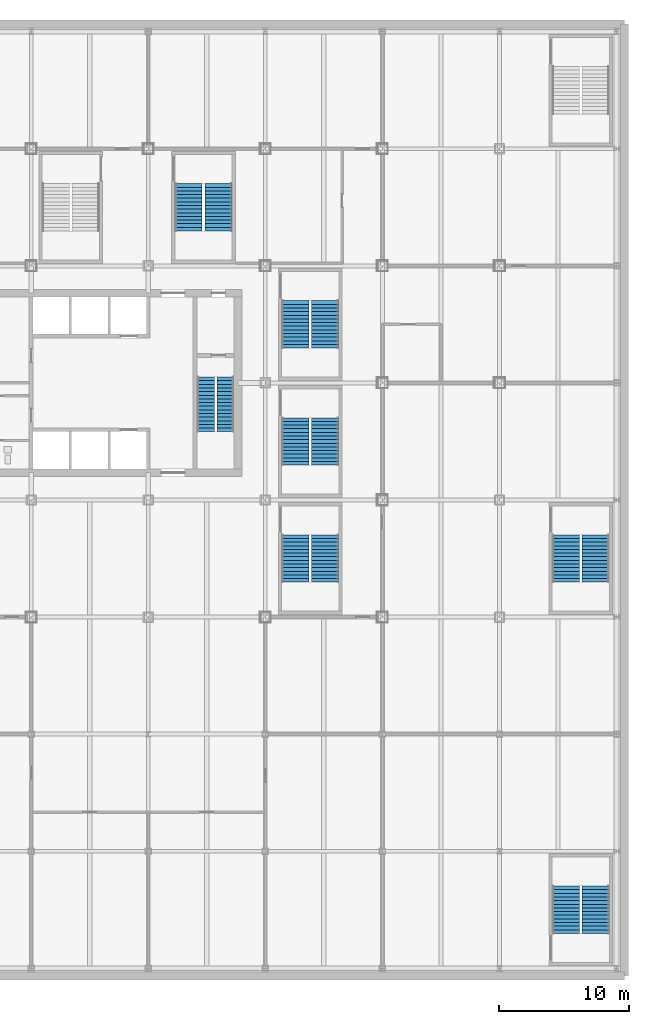
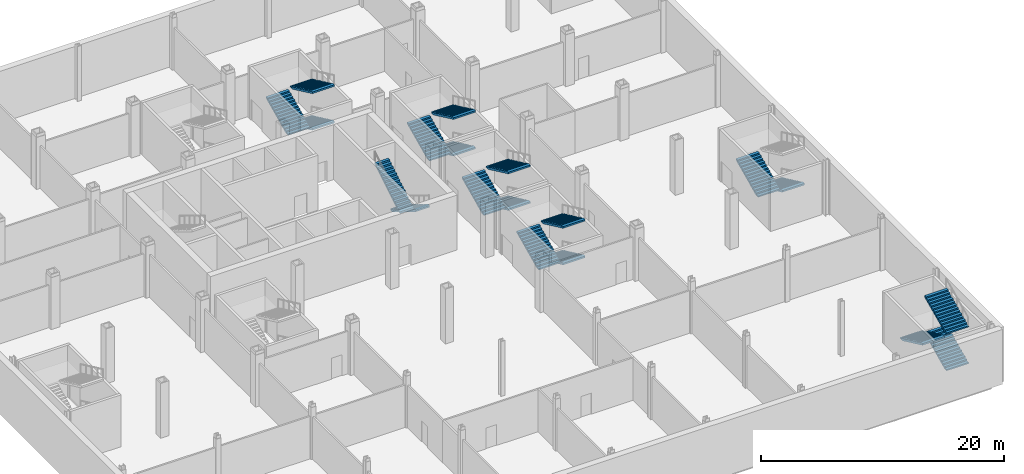
# One storey, part 13 of 27: 19 stair flights, 7 elements without a shape of their own.
"""IFC4 building model written with IfcOpenShell, lengths in metres."""

from ifc_helpers import new_model, si_unit, direction, frame, origin, place, context, subcontext, project, spatial, polyline, outline, extrude, material, type_object, element, aggregate, save


model = new_model("IFC4")

# Units and contexts
model_context = context("Model", 3, precision=1e-05, world=origin(), true_north=direction((0.0, 1.0)))
body_context = subcontext(model_context, "Body", "Model", "MODEL_VIEW")
ifc_project = project(units=[si_unit("LENGTHUNIT", "METRE"), si_unit("AREAUNIT", "SQUARE_METRE"), si_unit("VOLUMEUNIT", "CUBIC_METRE"), si_unit("PLANEANGLEUNIT", "RADIAN"), si_unit("MASSUNIT", "GRAM", prefix="KILO")], contexts=[model_context])

# Site, building, storey
site_placement = place(None, origin())
site = spatial("IfcSite", under=ifc_project, at=site_placement, CompositionType="ELEMENT")
building_placement = place(site_placement, origin())
building = spatial("IfcBuilding", under=site, at=building_placement, Name="Loomwork Tower", CompositionType="ELEMENT")
storey_placement = place(building_placement, frame((0.0, 0.0, -5.5)))
storey = spatial("IfcBuildingStorey", under=building, at=storey_placement, Name="B1", CompositionType="ELEMENT", Elevation=-5.5)

# Stair, stair flights
ifc_material_1 = material(Name="Concrete 5000 psi (34 MPa) precast stair", Category="concrete")
stair_type_1 = type_object("IfcStairType", Name="Stair ST-B 32 risers 2850 wide", PredefinedType="HALF_TURN_STAIR", material=ifc_material_1)
stair_1_placement = place(storey_placement, origin())
stair_1 = element("IfcStair", 1, at=stair_1_placement, inside=storey, type_object=stair_type_1, Name="Stair B B1", PredefinedType="HALF_TURN_STAIR")
ifc_material_2 = material(Name="Concrete 5000 psi (34 MPa) precast stair", Category="concrete")
stair_flight_type_1 = type_object("IfcStairFlightType", Name="Stair flight ST-B 16 risers 1300 wide", PredefinedType="STRAIGHT", material=ifc_material_2)
stair_flight_1_placement = place(storey_placement, frame((32.925048828125, 18.449951171875, 0.0), z_axis=(0.0, 0.0, 1.0), x_axis=(0.0, -1.0, 0.0)))
stair_flight_1 = element("IfcStairFlight", 2, at=stair_flight_1_placement, type_object=stair_flight_type_1, Name="ST-B flight 1", NumberOfRisers=16, NumberOfTreads=15, PredefinedType="STRAIGHT", RiserHeight=0.171875, TreadLength=0.28, context=body_context, shape_type="SweptSolid", body=[
    extrude(outline(polyline([(0.0, 0.0), (0.0, 0.171875), (0.280029296875, 0.171875), (0.280029296875, 0.34375), (0.56005859375, 0.34375), (0.56005859375, 0.515625), (0.840087890625, 0.515625), (0.840087890625, 0.6875), (1.1201171875, 0.6875), (1.1201171875, 0.859375), (1.39990234375, 0.859375), (1.39990234375, 1.03125), (1.679931640625, 1.03125), (1.679931640625, 1.203125), (1.9599609375, 1.203125), (1.9599609375, 1.375), (2.239990234375, 1.375), (2.239990234375, 1.546875), (2.52001953125, 1.546875), (2.52001953125, 1.71875), (2.800048828125, 1.71875), (2.800048828125, 1.890625), (3.080078125, 1.890625), (3.080078125, 2.0625), (3.360107421875, 2.0625), (3.360107421875, 2.234375), (3.639892578125, 2.234375), (3.639892578125, 2.40625), (3.919921875, 2.40625), (3.919921875, 2.578125), (4.199951171875, 2.578125), (4.199951171875, 2.75), (4.199951171875, 2.40234375), (0.28662109375, 0.0), (0.0, 0.0)])), frame((0.0, 0.64990234375, 0.0), z_axis=(0.0, -1.0, 0.0), x_axis=(1.0, 0.0, 0.0)), (0.0, 0.0, 1.0), 1.300048828125),
])
stair_flight_2_placement = place(storey_placement, frame((31.425048828125, 14.25, 2.75), z_axis=(0.0, 0.0, 1.0), x_axis=(0.0, 1.0, 0.0)))
stair_flight_2 = element("IfcStairFlight", 3, at=stair_flight_2_placement, type_object=stair_flight_type_1, Name="ST-B flight 2", NumberOfRisers=16, NumberOfTreads=15, PredefinedType="STRAIGHT", RiserHeight=0.171875, TreadLength=0.28, context=body_context, shape_type="SweptSolid", body=[
    extrude(outline(polyline([(0.0, 0.0), (0.0, 0.171875), (0.280029296875, 0.171875), (0.280029296875, 0.34375), (0.56005859375, 0.34375), (0.56005859375, 0.515625), (0.840087890625, 0.515625), (0.840087890625, 0.6875), (1.1201171875, 0.6875), (1.1201171875, 0.859375), (1.39990234375, 0.859375), (1.39990234375, 1.03125), (1.679931640625, 1.03125), (1.679931640625, 1.203125), (1.9599609375, 1.203125), (1.9599609375, 1.375), (2.239990234375, 1.375), (2.239990234375, 1.546875), (2.52001953125, 1.546875), (2.52001953125, 1.71875), (2.800048828125, 1.71875), (2.800048828125, 1.890625), (3.080078125, 1.890625), (3.080078125, 2.0625), (3.360107421875, 2.0625), (3.360107421875, 2.234375), (3.639892578125, 2.234375), (3.639892578125, 2.40625), (3.919921875, 2.40625), (3.919921875, 2.578125), (4.199951171875, 2.578125), (4.199951171875, 2.75), (4.199951171875, 2.40234375), (0.28662109375, 0.0), (0.0, 0.0)])), frame((0.0, 0.64990234375, 0.0), z_axis=(0.0, -1.0, 0.0), x_axis=(1.0, 0.0, 0.0)), (0.0, 0.0, 1.0), 1.300048828125),
])
aggregate(stair_1, [stair_flight_1, stair_flight_2])

ifc_material_3 = material(Name="Concrete 5000 psi (34 MPa) precast stair", Category="concrete")
stair_type_2 = type_object("IfcStairType", Name="Stair ST-S11P 42 risers of 131 4400 wide", PredefinedType="HALF_TURN_STAIR", material=ifc_material_3)
stair_2_placement = place(storey_placement, origin())
stair_2 = element("IfcStair", 4, at=stair_2_placement, inside=storey, type_object=stair_type_2, Name="Podium stair PS11 B1", PredefinedType="HALF_TURN_STAIR")
ifc_material_4 = material(Name="Concrete 5000 psi (34 MPa) precast stair", Category="concrete")
stair_flight_type_2 = type_object("IfcStairFlightType", Name="Stair flight ST-S11P 14 risers of 131 2100 wide", PredefinedType="STRAIGHT", material=ifc_material_4)
stair_flight_3_placement = place(storey_placement, frame((32.39990234375, 33.320068359375, 0.0), z_axis=(0.0, 0.0, 1.0), x_axis=(0.0, -1.0, 0.0)))
stair_flight_3 = element("IfcStairFlight", 5, at=stair_flight_3_placement, type_object=stair_flight_type_2, Name="ST-S11P flight 1", NumberOfRisers=14, NumberOfTreads=13, PredefinedType="STRAIGHT", RiserHeight=0.130952381, TreadLength=0.28, context=body_context, shape_type="SweptSolid", body=[
    extrude(outline(polyline([(0.0, 0.0), (0.0, 0.130859375), (0.280029296875, 0.130859375), (0.280029296875, 0.261962890625), (0.56005859375, 0.261962890625), (0.56005859375, 0.392822265625), (0.840087890625, 0.392822265625), (0.840087890625, 0.52392578125), (1.1201171875, 0.52392578125), (1.1201171875, 0.65478515625), (1.39990234375, 0.65478515625), (1.39990234375, 0.78564453125), (1.679931640625, 0.78564453125), (1.679931640625, 0.916748046875), (1.9599609375, 0.916748046875), (1.9599609375, 1.047607421875), (2.239990234375, 1.047607421875), (2.239990234375, 1.178466796875), (2.52001953125, 1.178466796875), (2.52001953125, 1.3095703125), (2.800048828125, 1.3095703125), (2.800048828125, 1.4404296875), (3.080078125, 1.4404296875), (3.080078125, 1.571533203125), (3.360107421875, 1.571533203125), (3.360107421875, 1.702392578125), (3.639892578125, 1.702392578125), (3.639892578125, 1.833251953125), (3.639892578125, 1.536865234375), (0.353759765625, 0.0), (0.0, 0.0)])), frame((0.0, 1.050048828125, 0.0), z_axis=(0.0, -1.0, 0.0), x_axis=(1.0, 0.0, 0.0)), (0.0, 0.0, 1.0), 2.10009765625),
])
stair_flight_4_placement = place(storey_placement, frame((30.10009765625, 29.679931640625, 1.833251953125), z_axis=(0.0, 0.0, 1.0), x_axis=(0.0, 1.0, 0.0)))
stair_flight_4 = element("IfcStairFlight", 6, at=stair_flight_4_placement, type_object=stair_flight_type_2, Name="ST-S11P flight 2", NumberOfRisers=14, NumberOfTreads=13, PredefinedType="STRAIGHT", RiserHeight=0.130952381, TreadLength=0.28, context=body_context, shape_type="SweptSolid", body=[
    extrude(outline(polyline([(0.0, 0.0), (0.0, 0.130859375), (0.280029296875, 0.130859375), (0.280029296875, 0.261962890625), (0.56005859375, 0.261962890625), (0.56005859375, 0.392822265625), (0.840087890625, 0.392822265625), (0.840087890625, 0.52392578125), (1.1201171875, 0.52392578125), (1.1201171875, 0.65478515625), (1.39990234375, 0.65478515625), (1.39990234375, 0.78564453125), (1.679931640625, 0.78564453125), (1.679931640625, 0.916748046875), (1.9599609375, 0.916748046875), (1.9599609375, 1.047607421875), (2.239990234375, 1.047607421875), (2.239990234375, 1.178466796875), (2.52001953125, 1.178466796875), (2.52001953125, 1.3095703125), (2.800048828125, 1.3095703125), (2.800048828125, 1.4404296875), (3.080078125, 1.4404296875), (3.080078125, 1.571533203125), (3.360107421875, 1.571533203125), (3.360107421875, 1.702392578125), (3.639892578125, 1.702392578125), (3.639892578125, 1.833251953125), (3.639892578125, 1.536865234375), (0.353759765625, 0.0), (0.0, 0.0)])), frame((0.0, 1.050048828125, 0.0), z_axis=(0.0, -1.0, 0.0), x_axis=(1.0, 0.0, 0.0)), (0.0, 0.0, 1.0), 2.10009765625),
])
stair_flight_5_placement = place(storey_placement, frame((32.39990234375, 33.320068359375, 3.666748046875), z_axis=(0.0, 0.0, 1.0), x_axis=(0.0, -1.0, 0.0)))
stair_flight_5 = element("IfcStairFlight", 7, at=stair_flight_5_placement, type_object=stair_flight_type_2, Name="ST-S11P flight 3", NumberOfRisers=14, NumberOfTreads=13, PredefinedType="STRAIGHT", RiserHeight=0.130952381, TreadLength=0.28, context=body_context, shape_type="SweptSolid", body=[
    extrude(outline(polyline([(0.0, 0.0), (0.0, 0.130859375), (0.280029296875, 0.130859375), (0.280029296875, 0.261962890625), (0.56005859375, 0.261962890625), (0.56005859375, 0.392822265625), (0.840087890625, 0.392822265625), (0.840087890625, 0.52392578125), (1.1201171875, 0.52392578125), (1.1201171875, 0.65478515625), (1.39990234375, 0.65478515625), (1.39990234375, 0.78564453125), (1.679931640625, 0.78564453125), (1.679931640625, 0.916748046875), (1.9599609375, 0.916748046875), (1.9599609375, 1.047607421875), (2.239990234375, 1.047607421875), (2.239990234375, 1.178466796875), (2.52001953125, 1.178466796875), (2.52001953125, 1.3095703125), (2.800048828125, 1.3095703125), (2.800048828125, 1.4404296875), (3.080078125, 1.4404296875), (3.080078125, 1.571533203125), (3.360107421875, 1.571533203125), (3.360107421875, 1.702392578125), (3.639892578125, 1.702392578125), (3.639892578125, 1.833251953125), (3.639892578125, 1.536865234375), (0.353759765625, 0.0), (0.0, 0.0)])), frame((0.0, 1.050048828125, 0.0), z_axis=(0.0, -1.0, 0.0), x_axis=(1.0, 0.0, 0.0)), (0.0, 0.0, 1.0), 2.10009765625),
])
aggregate(stair_2, [stair_flight_3, stair_flight_4, stair_flight_5])

ifc_material_5 = material(Name="Concrete 5000 psi (34 MPa) precast stair", Category="concrete")
stair_type_3 = type_object("IfcStairType", Name="Stair ST-S2P 42 risers of 131 4400 wide", PredefinedType="HALF_TURN_STAIR", material=ifc_material_5)
stair_3_placement = place(storey_placement, origin())
stair_3 = element("IfcStair", 8, at=stair_3_placement, inside=storey, type_object=stair_type_3, Name="Podium stair PS2 B1", PredefinedType="HALF_TURN_STAIR")
ifc_material_6 = material(Name="Concrete 5000 psi (34 MPa) precast stair", Category="concrete")
stair_flight_type_3 = type_object("IfcStairFlightType", Name="Stair flight ST-S2P 14 risers of 131 2100 wide", PredefinedType="STRAIGHT", material=ifc_material_6)
stair_flight_6_placement = place(storey_placement, frame((61.39990234375, -24.320068359375, 0.0), z_axis=(0.0, 0.0, 1.0), x_axis=(0.0, 1.0, 0.0)))
stair_flight_6 = element("IfcStairFlight", 9, at=stair_flight_6_placement, type_object=stair_flight_type_3, Name="ST-S2P flight 1", NumberOfRisers=14, NumberOfTreads=13, PredefinedType="STRAIGHT", RiserHeight=0.130952381, TreadLength=0.28, context=body_context, shape_type="SweptSolid", body=[
    extrude(outline(polyline([(0.0, 0.0), (0.0, 0.130859375), (0.280029296875, 0.130859375), (0.280029296875, 0.261962890625), (0.56005859375, 0.261962890625), (0.56005859375, 0.392822265625), (0.840087890625, 0.392822265625), (0.840087890625, 0.52392578125), (1.1201171875, 0.52392578125), (1.1201171875, 0.65478515625), (1.39990234375, 0.65478515625), (1.39990234375, 0.78564453125), (1.679931640625, 0.78564453125), (1.679931640625, 0.916748046875), (1.9599609375, 0.916748046875), (1.9599609375, 1.047607421875), (2.239990234375, 1.047607421875), (2.239990234375, 1.178466796875), (2.52001953125, 1.178466796875), (2.52001953125, 1.3095703125), (2.800048828125, 1.3095703125), (2.800048828125, 1.4404296875), (3.080078125, 1.4404296875), (3.080078125, 1.571533203125), (3.360107421875, 1.571533203125), (3.360107421875, 1.702392578125), (3.639892578125, 1.702392578125), (3.639892578125, 1.833251953125), (3.639892578125, 1.536865234375), (0.353759765625, 0.0), (0.0, 0.0)])), frame((0.0, 1.050048828125, 0.0), z_axis=(0.0, -1.0, 0.0), x_axis=(1.0, 0.0, 0.0)), (0.0, 0.0, 1.0), 2.10009765625),
])
stair_flight_7_placement = place(storey_placement, frame((59.10009765625, -20.679931640625, 1.833251953125), z_axis=(0.0, 0.0, 1.0), x_axis=(0.0, -1.0, 0.0)))
stair_flight_7 = element("IfcStairFlight", 10, at=stair_flight_7_placement, type_object=stair_flight_type_3, Name="ST-S2P flight 2", NumberOfRisers=14, NumberOfTreads=13, PredefinedType="STRAIGHT", RiserHeight=0.130952381, TreadLength=0.28, context=body_context, shape_type="SweptSolid", body=[
    extrude(outline(polyline([(0.0, 0.0), (0.0, 0.130859375), (0.280029296875, 0.130859375), (0.280029296875, 0.261962890625), (0.56005859375, 0.261962890625), (0.56005859375, 0.392822265625), (0.840087890625, 0.392822265625), (0.840087890625, 0.52392578125), (1.1201171875, 0.52392578125), (1.1201171875, 0.65478515625), (1.39990234375, 0.65478515625), (1.39990234375, 0.78564453125), (1.679931640625, 0.78564453125), (1.679931640625, 0.916748046875), (1.9599609375, 0.916748046875), (1.9599609375, 1.047607421875), (2.239990234375, 1.047607421875), (2.239990234375, 1.178466796875), (2.52001953125, 1.178466796875), (2.52001953125, 1.3095703125), (2.800048828125, 1.3095703125), (2.800048828125, 1.4404296875), (3.080078125, 1.4404296875), (3.080078125, 1.571533203125), (3.360107421875, 1.571533203125), (3.360107421875, 1.702392578125), (3.639892578125, 1.702392578125), (3.639892578125, 1.833251953125), (3.639892578125, 1.536865234375), (0.353759765625, 0.0), (0.0, 0.0)])), frame((0.0, 1.050048828125, 0.0), z_axis=(0.0, -1.0, 0.0), x_axis=(1.0, 0.0, 0.0)), (0.0, 0.0, 1.0), 2.10009765625),
])
stair_flight_8_placement = place(storey_placement, frame((61.39990234375, -24.320068359375, 3.666748046875), z_axis=(0.0, 0.0, 1.0), x_axis=(0.0, 1.0, 0.0)))
stair_flight_8 = element("IfcStairFlight", 11, at=stair_flight_8_placement, type_object=stair_flight_type_3, Name="ST-S2P flight 3", NumberOfRisers=14, NumberOfTreads=13, PredefinedType="STRAIGHT", RiserHeight=0.130952381, TreadLength=0.28, context=body_context, shape_type="SweptSolid", body=[
    extrude(outline(polyline([(0.0, 0.0), (0.0, 0.130859375), (0.280029296875, 0.130859375), (0.280029296875, 0.261962890625), (0.56005859375, 0.261962890625), (0.56005859375, 0.392822265625), (0.840087890625, 0.392822265625), (0.840087890625, 0.52392578125), (1.1201171875, 0.52392578125), (1.1201171875, 0.65478515625), (1.39990234375, 0.65478515625), (1.39990234375, 0.78564453125), (1.679931640625, 0.78564453125), (1.679931640625, 0.916748046875), (1.9599609375, 0.916748046875), (1.9599609375, 1.047607421875), (2.239990234375, 1.047607421875), (2.239990234375, 1.178466796875), (2.52001953125, 1.178466796875), (2.52001953125, 1.3095703125), (2.800048828125, 1.3095703125), (2.800048828125, 1.4404296875), (3.080078125, 1.4404296875), (3.080078125, 1.571533203125), (3.360107421875, 1.571533203125), (3.360107421875, 1.702392578125), (3.639892578125, 1.702392578125), (3.639892578125, 1.833251953125), (3.639892578125, 1.536865234375), (0.353759765625, 0.0), (0.0, 0.0)])), frame((0.0, 1.050048828125, 0.0), z_axis=(0.0, -1.0, 0.0), x_axis=(1.0, 0.0, 0.0)), (0.0, 0.0, 1.0), 2.10009765625),
])
aggregate(stair_3, [stair_flight_6, stair_flight_7, stair_flight_8])

ifc_material_7 = material(Name="Concrete 5000 psi (34 MPa) precast stair", Category="concrete")
stair_type_4 = type_object("IfcStairType", Name="Stair ST-S6P 42 risers of 131 4400 wide", PredefinedType="HALF_TURN_STAIR", material=ifc_material_7)
stair_4_placement = place(storey_placement, origin())
stair_4 = element("IfcStair", 12, at=stair_4_placement, inside=storey, type_object=stair_type_4, Name="Podium stair PS6 B1", PredefinedType="HALF_TURN_STAIR")
ifc_material_8 = material(Name="Concrete 5000 psi (34 MPa) precast stair", Category="concrete")
stair_flight_type_4 = type_object("IfcStairFlightType", Name="Stair flight ST-S6P 14 risers of 131 2100 wide", PredefinedType="STRAIGHT", material=ifc_material_8)
stair_flight_9_placement = place(storey_placement, frame((61.39990234375, 6.320068359375, 0.0), z_axis=(0.0, 0.0, 1.0), x_axis=(0.0, -1.0, 0.0)))
stair_flight_9 = element("IfcStairFlight", 13, at=stair_flight_9_placement, type_object=stair_flight_type_4, Name="ST-S6P flight 1", NumberOfRisers=14, NumberOfTreads=13, PredefinedType="STRAIGHT", RiserHeight=0.130952381, TreadLength=0.28, context=body_context, shape_type="SweptSolid", body=[
    extrude(outline(polyline([(0.0, 0.0), (0.0, 0.130859375), (0.280029296875, 0.130859375), (0.280029296875, 0.261962890625), (0.56005859375, 0.261962890625), (0.56005859375, 0.392822265625), (0.840087890625, 0.392822265625), (0.840087890625, 0.52392578125), (1.1201171875, 0.52392578125), (1.1201171875, 0.65478515625), (1.39990234375, 0.65478515625), (1.39990234375, 0.78564453125), (1.679931640625, 0.78564453125), (1.679931640625, 0.916748046875), (1.9599609375, 0.916748046875), (1.9599609375, 1.047607421875), (2.239990234375, 1.047607421875), (2.239990234375, 1.178466796875), (2.52001953125, 1.178466796875), (2.52001953125, 1.3095703125), (2.800048828125, 1.3095703125), (2.800048828125, 1.4404296875), (3.080078125, 1.4404296875), (3.080078125, 1.571533203125), (3.360107421875, 1.571533203125), (3.360107421875, 1.702392578125), (3.639892578125, 1.702392578125), (3.639892578125, 1.833251953125), (3.639892578125, 1.536865234375), (0.353759765625, 0.0), (0.0, 0.0)])), frame((0.0, 1.050048828125, 0.0), z_axis=(0.0, -1.0, 0.0), x_axis=(1.0, 0.0, 0.0)), (0.0, 0.0, 1.0), 2.10009765625),
])
stair_flight_10_placement = place(storey_placement, frame((59.10009765625, 2.679931640625, 1.833251953125), z_axis=(0.0, 0.0, 1.0), x_axis=(0.0, 1.0, 0.0)))
stair_flight_10 = element("IfcStairFlight", 14, at=stair_flight_10_placement, type_object=stair_flight_type_4, Name="ST-S6P flight 2", NumberOfRisers=14, NumberOfTreads=13, PredefinedType="STRAIGHT", RiserHeight=0.130952381, TreadLength=0.28, context=body_context, shape_type="SweptSolid", body=[
    extrude(outline(polyline([(0.0, 0.0), (0.0, 0.130859375), (0.280029296875, 0.130859375), (0.280029296875, 0.261962890625), (0.56005859375, 0.261962890625), (0.56005859375, 0.392822265625), (0.840087890625, 0.392822265625), (0.840087890625, 0.52392578125), (1.1201171875, 0.52392578125), (1.1201171875, 0.65478515625), (1.39990234375, 0.65478515625), (1.39990234375, 0.78564453125), (1.679931640625, 0.78564453125), (1.679931640625, 0.916748046875), (1.9599609375, 0.916748046875), (1.9599609375, 1.047607421875), (2.239990234375, 1.047607421875), (2.239990234375, 1.178466796875), (2.52001953125, 1.178466796875), (2.52001953125, 1.3095703125), (2.800048828125, 1.3095703125), (2.800048828125, 1.4404296875), (3.080078125, 1.4404296875), (3.080078125, 1.571533203125), (3.360107421875, 1.571533203125), (3.360107421875, 1.702392578125), (3.639892578125, 1.702392578125), (3.639892578125, 1.833251953125), (3.639892578125, 1.536865234375), (0.353759765625, 0.0), (0.0, 0.0)])), frame((0.0, 1.050048828125, 0.0), z_axis=(0.0, -1.0, 0.0), x_axis=(1.0, 0.0, 0.0)), (0.0, 0.0, 1.0), 2.10009765625),
])
aggregate(stair_4, [stair_flight_9, stair_flight_10])

ifc_material_9 = material(Name="Concrete 5000 psi (34 MPa) precast stair", Category="concrete")
stair_type_5 = type_object("IfcStairType", Name="Stair ST-S7P 42 risers of 131 4400 wide", PredefinedType="HALF_TURN_STAIR", material=ifc_material_9)
stair_5_placement = place(storey_placement, origin())
stair_5 = element("IfcStair", 15, at=stair_5_placement, inside=storey, type_object=stair_type_5, Name="Podium stair PS7 B1", PredefinedType="HALF_TURN_STAIR")
ifc_material_10 = material(Name="Concrete 5000 psi (34 MPa) precast stair", Category="concrete")
stair_flight_type_5 = type_object("IfcStairFlightType", Name="Stair flight ST-S7P 14 risers of 131 2100 wide", PredefinedType="STRAIGHT", material=ifc_material_10)
stair_flight_11_placement = place(storey_placement, frame((40.60009765625, 6.320068359375, 0.0), z_axis=(0.0, 0.0, 1.0), x_axis=(0.0, -1.0, 0.0)))
stair_flight_11 = element("IfcStairFlight", 16, at=stair_flight_11_placement, type_object=stair_flight_type_5, Name="ST-S7P flight 1", NumberOfRisers=14, NumberOfTreads=13, PredefinedType="STRAIGHT", RiserHeight=0.130952381, TreadLength=0.28, context=body_context, shape_type="SweptSolid", body=[
    extrude(outline(polyline([(0.0, 0.0), (0.0, 0.130859375), (0.280029296875, 0.130859375), (0.280029296875, 0.261962890625), (0.56005859375, 0.261962890625), (0.56005859375, 0.392822265625), (0.840087890625, 0.392822265625), (0.840087890625, 0.52392578125), (1.1201171875, 0.52392578125), (1.1201171875, 0.65478515625), (1.39990234375, 0.65478515625), (1.39990234375, 0.78564453125), (1.679931640625, 0.78564453125), (1.679931640625, 0.916748046875), (1.9599609375, 0.916748046875), (1.9599609375, 1.047607421875), (2.239990234375, 1.047607421875), (2.239990234375, 1.178466796875), (2.52001953125, 1.178466796875), (2.52001953125, 1.3095703125), (2.800048828125, 1.3095703125), (2.800048828125, 1.4404296875), (3.080078125, 1.4404296875), (3.080078125, 1.571533203125), (3.360107421875, 1.571533203125), (3.360107421875, 1.702392578125), (3.639892578125, 1.702392578125), (3.639892578125, 1.833251953125), (3.639892578125, 1.536865234375), (0.353759765625, 0.0), (0.0, 0.0)])), frame((0.0, 1.050048828125, 0.0), z_axis=(0.0, -1.0, 0.0), x_axis=(1.0, 0.0, 0.0)), (0.0, 0.0, 1.0), 2.10009765625),
])
stair_flight_12_placement = place(storey_placement, frame((38.300048828125, 2.679931640625, 1.833251953125), z_axis=(0.0, 0.0, 1.0), x_axis=(0.0, 1.0, 0.0)))
stair_flight_12 = element("IfcStairFlight", 17, at=stair_flight_12_placement, type_object=stair_flight_type_5, Name="ST-S7P flight 2", NumberOfRisers=14, NumberOfTreads=13, PredefinedType="STRAIGHT", RiserHeight=0.130952381, TreadLength=0.28, context=body_context, shape_type="SweptSolid", body=[
    extrude(outline(polyline([(0.0, 0.0), (0.0, 0.130859375), (0.280029296875, 0.130859375), (0.280029296875, 0.261962890625), (0.56005859375, 0.261962890625), (0.56005859375, 0.392822265625), (0.840087890625, 0.392822265625), (0.840087890625, 0.52392578125), (1.1201171875, 0.52392578125), (1.1201171875, 0.65478515625), (1.39990234375, 0.65478515625), (1.39990234375, 0.78564453125), (1.679931640625, 0.78564453125), (1.679931640625, 0.916748046875), (1.9599609375, 0.916748046875), (1.9599609375, 1.047607421875), (2.239990234375, 1.047607421875), (2.239990234375, 1.178466796875), (2.52001953125, 1.178466796875), (2.52001953125, 1.3095703125), (2.800048828125, 1.3095703125), (2.800048828125, 1.4404296875), (3.080078125, 1.4404296875), (3.080078125, 1.571533203125), (3.360107421875, 1.571533203125), (3.360107421875, 1.702392578125), (3.639892578125, 1.702392578125), (3.639892578125, 1.833251953125), (3.639892578125, 1.536865234375), (0.353759765625, 0.0), (0.0, 0.0)])), frame((0.0, 1.050048828125, 0.0), z_axis=(0.0, -1.0, 0.0), x_axis=(1.0, 0.0, 0.0)), (0.0, 0.0, 1.0), 2.10009765625),
])
stair_flight_13_placement = place(storey_placement, frame((40.60009765625, 6.320068359375, 3.666748046875), z_axis=(0.0, 0.0, 1.0), x_axis=(0.0, -1.0, 0.0)))
stair_flight_13 = element("IfcStairFlight", 18, at=stair_flight_13_placement, type_object=stair_flight_type_5, Name="ST-S7P flight 3", NumberOfRisers=14, NumberOfTreads=13, PredefinedType="STRAIGHT", RiserHeight=0.130952381, TreadLength=0.28, context=body_context, shape_type="SweptSolid", body=[
    extrude(outline(polyline([(0.0, 0.0), (0.0, 0.130859375), (0.280029296875, 0.130859375), (0.280029296875, 0.261962890625), (0.56005859375, 0.261962890625), (0.56005859375, 0.392822265625), (0.840087890625, 0.392822265625), (0.840087890625, 0.52392578125), (1.1201171875, 0.52392578125), (1.1201171875, 0.65478515625), (1.39990234375, 0.65478515625), (1.39990234375, 0.78564453125), (1.679931640625, 0.78564453125), (1.679931640625, 0.916748046875), (1.9599609375, 0.916748046875), (1.9599609375, 1.047607421875), (2.239990234375, 1.047607421875), (2.239990234375, 1.178466796875), (2.52001953125, 1.178466796875), (2.52001953125, 1.3095703125), (2.800048828125, 1.3095703125), (2.800048828125, 1.4404296875), (3.080078125, 1.4404296875), (3.080078125, 1.571533203125), (3.360107421875, 1.571533203125), (3.360107421875, 1.702392578125), (3.639892578125, 1.702392578125), (3.639892578125, 1.833251953125), (3.639892578125, 1.536865234375), (0.353759765625, 0.0), (0.0, 0.0)])), frame((0.0, 1.050048828125, 0.0), z_axis=(0.0, -1.0, 0.0), x_axis=(1.0, 0.0, 0.0)), (0.0, 0.0, 1.0), 2.10009765625),
])
aggregate(stair_5, [stair_flight_11, stair_flight_12, stair_flight_13])

ifc_material_11 = material(Name="Concrete 5000 psi (34 MPa) precast stair", Category="concrete")
stair_type_6 = type_object("IfcStairType", Name="Stair ST-S8P 42 risers of 131 4400 wide", PredefinedType="HALF_TURN_STAIR", material=ifc_material_11)
stair_6_placement = place(storey_placement, origin())
stair_6 = element("IfcStair", 19, at=stair_6_placement, inside=storey, type_object=stair_type_6, Name="Podium stair PS8 B1", PredefinedType="HALF_TURN_STAIR")
ifc_material_12 = material(Name="Concrete 5000 psi (34 MPa) precast stair", Category="concrete")
stair_flight_type_6 = type_object("IfcStairFlightType", Name="Stair flight ST-S8P 14 risers of 131 2100 wide", PredefinedType="STRAIGHT", material=ifc_material_12)
stair_flight_14_placement = place(storey_placement, frame((40.60009765625, 15.320068359375, 0.0), z_axis=(0.0, 0.0, 1.0), x_axis=(0.0, -1.0, 0.0)))
stair_flight_14 = element("IfcStairFlight", 20, at=stair_flight_14_placement, type_object=stair_flight_type_6, Name="ST-S8P flight 1", NumberOfRisers=14, NumberOfTreads=13, PredefinedType="STRAIGHT", RiserHeight=0.130952381, TreadLength=0.28, context=body_context, shape_type="SweptSolid", body=[
    extrude(outline(polyline([(0.0, 0.0), (0.0, 0.130859375), (0.280029296875, 0.130859375), (0.280029296875, 0.261962890625), (0.56005859375, 0.261962890625), (0.56005859375, 0.392822265625), (0.840087890625, 0.392822265625), (0.840087890625, 0.52392578125), (1.1201171875, 0.52392578125), (1.1201171875, 0.65478515625), (1.39990234375, 0.65478515625), (1.39990234375, 0.78564453125), (1.679931640625, 0.78564453125), (1.679931640625, 0.916748046875), (1.9599609375, 0.916748046875), (1.9599609375, 1.047607421875), (2.239990234375, 1.047607421875), (2.239990234375, 1.178466796875), (2.52001953125, 1.178466796875), (2.52001953125, 1.3095703125), (2.800048828125, 1.3095703125), (2.800048828125, 1.4404296875), (3.080078125, 1.4404296875), (3.080078125, 1.571533203125), (3.360107421875, 1.571533203125), (3.360107421875, 1.702392578125), (3.639892578125, 1.702392578125), (3.639892578125, 1.833251953125), (3.639892578125, 1.536865234375), (0.353759765625, 0.0), (0.0, 0.0)])), frame((0.0, 1.050048828125, 0.0), z_axis=(0.0, -1.0, 0.0), x_axis=(1.0, 0.0, 0.0)), (0.0, 0.0, 1.0), 2.10009765625),
])
stair_flight_15_placement = place(storey_placement, frame((38.300048828125, 11.679931640625, 1.833251953125), z_axis=(0.0, 0.0, 1.0), x_axis=(0.0, 1.0, 0.0)))
stair_flight_15 = element("IfcStairFlight", 21, at=stair_flight_15_placement, type_object=stair_flight_type_6, Name="ST-S8P flight 2", NumberOfRisers=14, NumberOfTreads=13, PredefinedType="STRAIGHT", RiserHeight=0.130952381, TreadLength=0.28, context=body_context, shape_type="SweptSolid", body=[
    extrude(outline(polyline([(0.0, 0.0), (0.0, 0.130859375), (0.280029296875, 0.130859375), (0.280029296875, 0.261962890625), (0.56005859375, 0.261962890625), (0.56005859375, 0.392822265625), (0.840087890625, 0.392822265625), (0.840087890625, 0.52392578125), (1.1201171875, 0.52392578125), (1.1201171875, 0.65478515625), (1.39990234375, 0.65478515625), (1.39990234375, 0.78564453125), (1.679931640625, 0.78564453125), (1.679931640625, 0.916748046875), (1.9599609375, 0.916748046875), (1.9599609375, 1.047607421875), (2.239990234375, 1.047607421875), (2.239990234375, 1.178466796875), (2.52001953125, 1.178466796875), (2.52001953125, 1.3095703125), (2.800048828125, 1.3095703125), (2.800048828125, 1.4404296875), (3.080078125, 1.4404296875), (3.080078125, 1.571533203125), (3.360107421875, 1.571533203125), (3.360107421875, 1.702392578125), (3.639892578125, 1.702392578125), (3.639892578125, 1.833251953125), (3.639892578125, 1.536865234375), (0.353759765625, 0.0), (0.0, 0.0)])), frame((0.0, 1.050048828125, 0.0), z_axis=(0.0, -1.0, 0.0), x_axis=(1.0, 0.0, 0.0)), (0.0, 0.0, 1.0), 2.10009765625),
])
stair_flight_16_placement = place(storey_placement, frame((40.60009765625, 15.320068359375, 3.666748046875), z_axis=(0.0, 0.0, 1.0), x_axis=(0.0, -1.0, 0.0)))
stair_flight_16 = element("IfcStairFlight", 22, at=stair_flight_16_placement, type_object=stair_flight_type_6, Name="ST-S8P flight 3", NumberOfRisers=14, NumberOfTreads=13, PredefinedType="STRAIGHT", RiserHeight=0.130952381, TreadLength=0.28, context=body_context, shape_type="SweptSolid", body=[
    extrude(outline(polyline([(0.0, 0.0), (0.0, 0.130859375), (0.280029296875, 0.130859375), (0.280029296875, 0.261962890625), (0.56005859375, 0.261962890625), (0.56005859375, 0.392822265625), (0.840087890625, 0.392822265625), (0.840087890625, 0.52392578125), (1.1201171875, 0.52392578125), (1.1201171875, 0.65478515625), (1.39990234375, 0.65478515625), (1.39990234375, 0.78564453125), (1.679931640625, 0.78564453125), (1.679931640625, 0.916748046875), (1.9599609375, 0.916748046875), (1.9599609375, 1.047607421875), (2.239990234375, 1.047607421875), (2.239990234375, 1.178466796875), (2.52001953125, 1.178466796875), (2.52001953125, 1.3095703125), (2.800048828125, 1.3095703125), (2.800048828125, 1.4404296875), (3.080078125, 1.4404296875), (3.080078125, 1.571533203125), (3.360107421875, 1.571533203125), (3.360107421875, 1.702392578125), (3.639892578125, 1.702392578125), (3.639892578125, 1.833251953125), (3.639892578125, 1.536865234375), (0.353759765625, 0.0), (0.0, 0.0)])), frame((0.0, 1.050048828125, 0.0), z_axis=(0.0, -1.0, 0.0), x_axis=(1.0, 0.0, 0.0)), (0.0, 0.0, 1.0), 2.10009765625),
])
aggregate(stair_6, [stair_flight_14, stair_flight_15, stair_flight_16])

ifc_material_13 = material(Name="Concrete 5000 psi (34 MPa) precast stair", Category="concrete")
stair_type_7 = type_object("IfcStairType", Name="Stair ST-S9P 42 risers of 131 4400 wide", PredefinedType="HALF_TURN_STAIR", material=ifc_material_13)
stair_7_placement = place(storey_placement, origin())
stair_7 = element("IfcStair", 23, at=stair_7_placement, inside=storey, type_object=stair_type_7, Name="Podium stair PS9 B1", PredefinedType="HALF_TURN_STAIR")
ifc_material_14 = material(Name="Concrete 5000 psi (34 MPa) precast stair", Category="concrete")
stair_flight_type_7 = type_object("IfcStairFlightType", Name="Stair flight ST-S9P 14 risers of 131 2100 wide", PredefinedType="STRAIGHT", material=ifc_material_14)
stair_flight_17_placement = place(storey_placement, frame((40.60009765625, 24.320068359375, 0.0), z_axis=(0.0, 0.0, 1.0), x_axis=(0.0, -1.0, 0.0)))
stair_flight_17 = element("IfcStairFlight", 24, at=stair_flight_17_placement, type_object=stair_flight_type_7, Name="ST-S9P flight 1", NumberOfRisers=14, NumberOfTreads=13, PredefinedType="STRAIGHT", RiserHeight=0.130952381, TreadLength=0.28, context=body_context, shape_type="SweptSolid", body=[
    extrude(outline(polyline([(0.0, 0.0), (0.0, 0.130859375), (0.280029296875, 0.130859375), (0.280029296875, 0.261962890625), (0.56005859375, 0.261962890625), (0.56005859375, 0.392822265625), (0.840087890625, 0.392822265625), (0.840087890625, 0.52392578125), (1.1201171875, 0.52392578125), (1.1201171875, 0.65478515625), (1.39990234375, 0.65478515625), (1.39990234375, 0.78564453125), (1.679931640625, 0.78564453125), (1.679931640625, 0.916748046875), (1.9599609375, 0.916748046875), (1.9599609375, 1.047607421875), (2.239990234375, 1.047607421875), (2.239990234375, 1.178466796875), (2.52001953125, 1.178466796875), (2.52001953125, 1.3095703125), (2.800048828125, 1.3095703125), (2.800048828125, 1.4404296875), (3.080078125, 1.4404296875), (3.080078125, 1.571533203125), (3.360107421875, 1.571533203125), (3.360107421875, 1.702392578125), (3.639892578125, 1.702392578125), (3.639892578125, 1.833251953125), (3.639892578125, 1.536865234375), (0.353759765625, 0.0), (0.0, 0.0)])), frame((0.0, 1.050048828125, 0.0), z_axis=(0.0, -1.0, 0.0), x_axis=(1.0, 0.0, 0.0)), (0.0, 0.0, 1.0), 2.10009765625),
])
stair_flight_18_placement = place(storey_placement, frame((38.300048828125, 20.679931640625, 1.833251953125), z_axis=(0.0, 0.0, 1.0), x_axis=(0.0, 1.0, 0.0)))
stair_flight_18 = element("IfcStairFlight", 25, at=stair_flight_18_placement, type_object=stair_flight_type_7, Name="ST-S9P flight 2", NumberOfRisers=14, NumberOfTreads=13, PredefinedType="STRAIGHT", RiserHeight=0.130952381, TreadLength=0.28, context=body_context, shape_type="SweptSolid", body=[
    extrude(outline(polyline([(0.0, 0.0), (0.0, 0.130859375), (0.280029296875, 0.130859375), (0.280029296875, 0.261962890625), (0.56005859375, 0.261962890625), (0.56005859375, 0.392822265625), (0.840087890625, 0.392822265625), (0.840087890625, 0.52392578125), (1.1201171875, 0.52392578125), (1.1201171875, 0.65478515625), (1.39990234375, 0.65478515625), (1.39990234375, 0.78564453125), (1.679931640625, 0.78564453125), (1.679931640625, 0.916748046875), (1.9599609375, 0.916748046875), (1.9599609375, 1.047607421875), (2.239990234375, 1.047607421875), (2.239990234375, 1.178466796875), (2.52001953125, 1.178466796875), (2.52001953125, 1.3095703125), (2.800048828125, 1.3095703125), (2.800048828125, 1.4404296875), (3.080078125, 1.4404296875), (3.080078125, 1.571533203125), (3.360107421875, 1.571533203125), (3.360107421875, 1.702392578125), (3.639892578125, 1.702392578125), (3.639892578125, 1.833251953125), (3.639892578125, 1.536865234375), (0.353759765625, 0.0), (0.0, 0.0)])), frame((0.0, 1.050048828125, 0.0), z_axis=(0.0, -1.0, 0.0), x_axis=(1.0, 0.0, 0.0)), (0.0, 0.0, 1.0), 2.10009765625),
])
stair_flight_19_placement = place(storey_placement, frame((40.60009765625, 24.320068359375, 3.666748046875), z_axis=(0.0, 0.0, 1.0), x_axis=(0.0, -1.0, 0.0)))
stair_flight_19 = element("IfcStairFlight", 26, at=stair_flight_19_placement, type_object=stair_flight_type_7, Name="ST-S9P flight 3", NumberOfRisers=14, NumberOfTreads=13, PredefinedType="STRAIGHT", RiserHeight=0.130952381, TreadLength=0.28, context=body_context, shape_type="SweptSolid", body=[
    extrude(outline(polyline([(0.0, 0.0), (0.0, 0.130859375), (0.280029296875, 0.130859375), (0.280029296875, 0.261962890625), (0.56005859375, 0.261962890625), (0.56005859375, 0.392822265625), (0.840087890625, 0.392822265625), (0.840087890625, 0.52392578125), (1.1201171875, 0.52392578125), (1.1201171875, 0.65478515625), (1.39990234375, 0.65478515625), (1.39990234375, 0.78564453125), (1.679931640625, 0.78564453125), (1.679931640625, 0.916748046875), (1.9599609375, 0.916748046875), (1.9599609375, 1.047607421875), (2.239990234375, 1.047607421875), (2.239990234375, 1.178466796875), (2.52001953125, 1.178466796875), (2.52001953125, 1.3095703125), (2.800048828125, 1.3095703125), (2.800048828125, 1.4404296875), (3.080078125, 1.4404296875), (3.080078125, 1.571533203125), (3.360107421875, 1.571533203125), (3.360107421875, 1.702392578125), (3.639892578125, 1.702392578125), (3.639892578125, 1.833251953125), (3.639892578125, 1.536865234375), (0.353759765625, 0.0), (0.0, 0.0)])), frame((0.0, 1.050048828125, 0.0), z_axis=(0.0, -1.0, 0.0), x_axis=(1.0, 0.0, 0.0)), (0.0, 0.0, 1.0), 2.10009765625),
])
aggregate(stair_7, [stair_flight_17, stair_flight_18, stair_flight_19])

save(model, "model.ifc")
